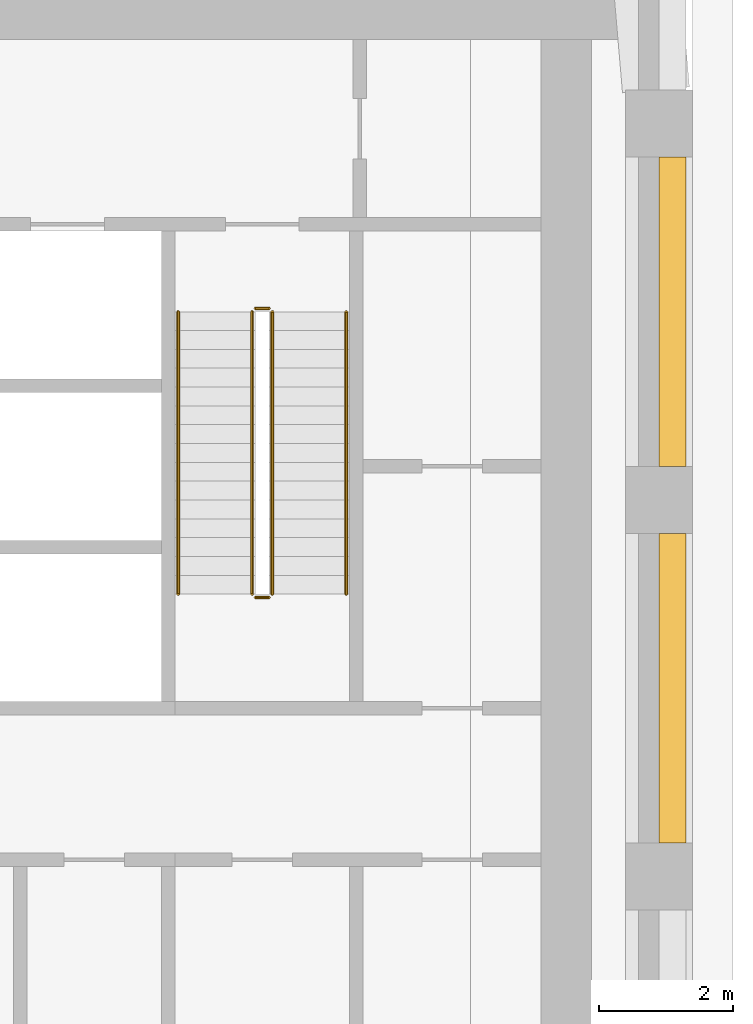
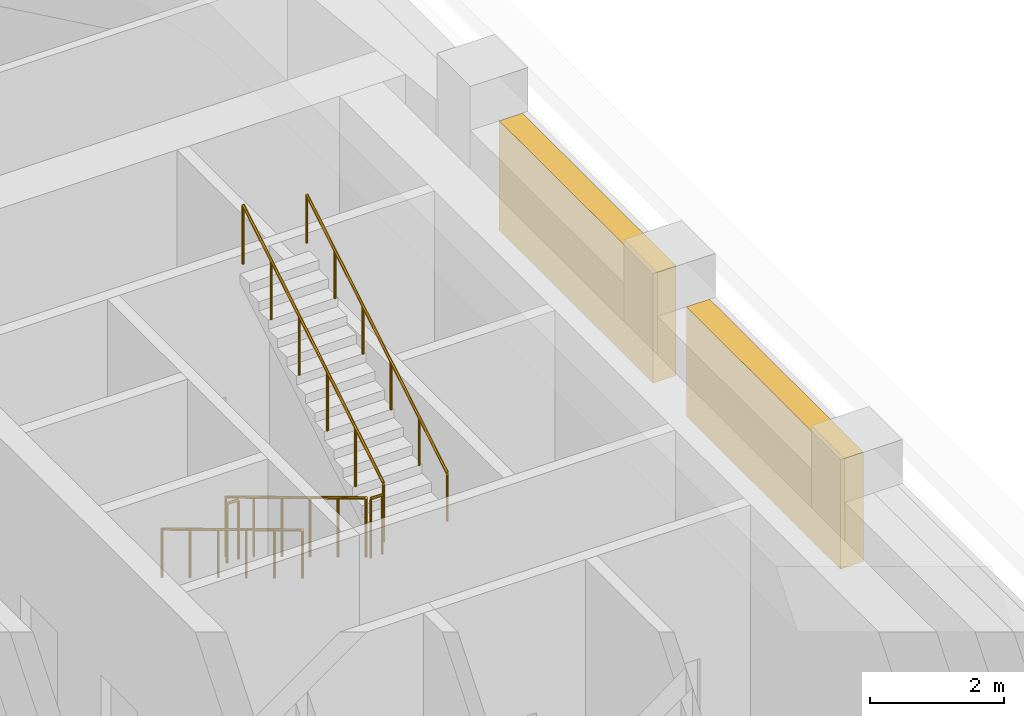
# One storey, part 13 of 14: 6 railings, 2 coverings.
"""IFC4 building model written with IfcOpenShell, lengths in metres."""

from ifc_helpers import new_model, si_unit, direction, frame, origin, origin_2d, place, context, subcontext, project, spatial, rectangle, circle, extrude, material, type_object, element, save


model = new_model("IFC4")

# Units and contexts
model_context = context("Model", 3, precision=1e-05, world=origin(), true_north=direction((0.0, 1.0)))
body_context = subcontext(model_context, "Body", "Model", "MODEL_VIEW")
ifc_project = project(units=[si_unit("LENGTHUNIT", "METRE"), si_unit("AREAUNIT", "SQUARE_METRE"), si_unit("VOLUMEUNIT", "CUBIC_METRE"), si_unit("PLANEANGLEUNIT", "RADIAN"), si_unit("MASSUNIT", "GRAM", prefix="KILO")], contexts=[model_context])

# Site, building, storey
site_placement = place(None, origin())
site = spatial("IfcSite", under=ifc_project, at=site_placement, CompositionType="ELEMENT")
building_placement = place(site_placement, origin())
building = spatial("IfcBuilding", under=site, at=building_placement, Name="Kiln Ring Residences", CompositionType="ELEMENT")
storey_placement = place(building_placement, frame((0.0, 0.0, 183.5)))
storey = spatial("IfcBuildingStorey", under=building, at=storey_placement, Name="L47", CompositionType="ELEMENT", Elevation=183.5)

# Railings
ifc_material_1 = material(Name="Stainless steel", Category="steel")
railing_type_1 = type_object("IfcRailingType", Name="CORE-STAIR-GUARD", PredefinedType="GUARDRAIL", material=ifc_material_1)
railing_1_placement = place(storey_placement, frame((21.949951171875, 8.39990234375, 0.168701171875)))
element("IfcRailing", 1, at=railing_1_placement, inside=storey, type_object=railing_type_1, Name="L47 E-STN stair guard 1", PredefinedType="GUARDRAIL", context=body_context, shape_type="SweptSolid", body=[
    extrude(circle(Radius=0.02392578125, at=origin_2d()), frame((0.0, 0.0, 1.076171875), z_axis=(0.0, -0.856476492594, 0.516186030065), x_axis=(1.0, 0.0, 0.0)), (0.0, 0.0, 1.0), 4.90380859375),
    extrude(circle(Radius=0.02099609375, at=origin_2d()), origin(), (0.0, 0.0, 1.0), 1.052001953125),
    extrude(circle(Radius=0.02099609375, at=origin_2d()), frame((0.0, -0.840087890625, 0.50634765625)), (0.0, 0.0, 1.0), 1.052001953125),
    extrude(circle(Radius=0.02099609375, at=origin_2d()), frame((0.0, -1.679931640625, 1.012451171875)), (0.0, 0.0, 1.0), 1.052001953125),
    extrude(circle(Radius=0.02099609375, at=origin_2d()), frame((0.0, -2.52001953125, 1.518798828125)), (0.0, 0.0, 1.0), 1.052001953125),
    extrude(circle(Radius=0.02099609375, at=origin_2d()), frame((0.0, -3.35986328125, 2.02490234375)), (0.0, 0.0, 1.0), 1.052001953125),
    extrude(circle(Radius=0.02099609375, at=origin_2d()), frame((0.0, -4.199951171875, 2.53125)), (0.0, 0.0, 1.0), 1.052001953125),
])
railing_2_placement = place(storey_placement, frame((22.0, 4.14990234375, 2.699951171875)))
element("IfcRailing", 2, at=railing_2_placement, inside=storey, type_object=railing_type_1, Name="L47 E-STN stair guard 2", PredefinedType="GUARDRAIL", context=body_context, shape_type="SweptSolid", body=[
    extrude(circle(Radius=0.02392578125, at=origin_2d()), frame((0.0, 0.0, 1.076171875), z_axis=(1.0, 0.0, 0.0), x_axis=(0.0, 1.0, 0.0)), (0.0, 0.0, 1.0), 0.199951171875),
    extrude(circle(Radius=0.02099609375, at=origin_2d()), origin(), (0.0, 0.0, 1.0), 1.052001953125),
    extrude(circle(Radius=0.02099609375, at=origin_2d()), frame((0.199951171875, 0.0, 0.0)), (0.0, 0.0, 1.0), 1.052001953125),
])
railing_3_placement = place(storey_placement, frame((22.25, 4.199951171875, 2.86865234375)))
element("IfcRailing", 3, at=railing_3_placement, inside=storey, type_object=railing_type_1, Name="L47 E-STN stair guard 3", PredefinedType="GUARDRAIL", context=body_context, shape_type="SweptSolid", body=[
    extrude(circle(Radius=0.02392578125, at=origin_2d()), frame((0.0, 0.0, 1.076171875), z_axis=(0.0, 0.856476492594, 0.516186030065), x_axis=(-1.0, 0.0, 0.0)), (0.0, 0.0, 1.0), 4.90380859375),
    extrude(circle(Radius=0.02099609375, at=origin_2d()), origin(), (0.0, 0.0, 1.0), 1.052001953125),
    extrude(circle(Radius=0.02099609375, at=origin_2d()), frame((0.0, 0.840087890625, 0.50634765625)), (0.0, 0.0, 1.0), 1.052001953125),
    extrude(circle(Radius=0.02099609375, at=origin_2d()), frame((0.0, 1.679931640625, 1.012451171875)), (0.0, 0.0, 1.0), 1.052001953125),
    extrude(circle(Radius=0.02099609375, at=origin_2d()), frame((0.0, 2.52001953125, 1.518798828125)), (0.0, 0.0, 1.0), 1.052001953125),
    extrude(circle(Radius=0.02099609375, at=origin_2d()), frame((0.0, 3.35986328125, 2.02490234375)), (0.0, 0.0, 1.0), 1.052001953125),
    extrude(circle(Radius=0.02099609375, at=origin_2d()), frame((0.0, 4.199951171875, 2.53125)), (0.0, 0.0, 1.0), 1.052001953125),
])
railing_4_placement = place(storey_placement, frame((22.0, 8.449951171875, 0.0)))
element("IfcRailing", 4, at=railing_4_placement, inside=storey, type_object=railing_type_1, Name="L47 E-STN stair guard 4", PredefinedType="GUARDRAIL", context=body_context, shape_type="SweptSolid", body=[
    extrude(circle(Radius=0.02392578125, at=origin_2d()), frame((0.0, 0.0, 1.076171875), z_axis=(1.0, 0.0, 0.0), x_axis=(0.0, 1.0, 0.0)), (0.0, 0.0, 1.0), 0.199951171875),
    extrude(circle(Radius=0.02099609375, at=origin_2d()), origin(), (0.0, 0.0, 1.0), 1.052001953125),
    extrude(circle(Radius=0.02099609375, at=origin_2d()), frame((0.199951171875, 0.0, 0.0)), (0.0, 0.0, 1.0), 1.052001953125),
])
ifc_material_2 = material(Name="Stainless steel", Category="steel")
railing_type_2 = type_object("IfcRailingType", Name="CORE-STAIR-HANDRAIL", PredefinedType="HANDRAIL", material=ifc_material_2)
railing_5_placement = place(storey_placement, frame((20.85009765625, 8.39990234375, 0.168701171875)))
element("IfcRailing", 5, at=railing_5_placement, inside=storey, type_object=railing_type_2, Name="L47 E-STN stair handrail 1", PredefinedType="HANDRAIL", context=body_context, shape_type="SweptSolid", body=[
    extrude(circle(Radius=0.02392578125, at=origin_2d()), frame((0.0, 0.0, 0.8759765625), z_axis=(0.0, -0.856476492594, 0.516186030065), x_axis=(1.0, 0.0, 0.0)), (0.0, 0.0, 1.0), 4.90380859375),
    extrude(circle(Radius=0.02099609375, at=origin_2d()), origin(), (0.0, 0.0, 1.0), 0.851806640625),
    extrude(circle(Radius=0.02099609375, at=origin_2d()), frame((0.0, -0.840087890625, 0.50634765625)), (0.0, 0.0, 1.0), 0.851806640625),
    extrude(circle(Radius=0.02099609375, at=origin_2d()), frame((0.0, -1.679931640625, 1.012451171875)), (0.0, 0.0, 1.0), 0.851806640625),
    extrude(circle(Radius=0.02099609375, at=origin_2d()), frame((0.0, -2.52001953125, 1.518798828125)), (0.0, 0.0, 1.0), 0.851806640625),
    extrude(circle(Radius=0.02099609375, at=origin_2d()), frame((0.0, -3.35986328125, 2.02490234375)), (0.0, 0.0, 1.0), 0.851806640625),
    extrude(circle(Radius=0.02099609375, at=origin_2d()), frame((0.0, -4.199951171875, 2.53125)), (0.0, 0.0, 1.0), 0.851806640625),
])
railing_6_placement = place(storey_placement, frame((23.35009765625, 4.199951171875, 2.86865234375)))
element("IfcRailing", 6, at=railing_6_placement, inside=storey, type_object=railing_type_2, Name="L47 E-STN stair handrail 2", PredefinedType="HANDRAIL", context=body_context, shape_type="SweptSolid", body=[
    extrude(circle(Radius=0.02392578125, at=origin_2d()), frame((0.0, 0.0, 0.8759765625), z_axis=(0.0, 0.856476492594, 0.516186030065), x_axis=(-1.0, 0.0, 0.0)), (0.0, 0.0, 1.0), 4.90380859375),
    extrude(circle(Radius=0.02099609375, at=origin_2d()), origin(), (0.0, 0.0, 1.0), 0.851806640625),
    extrude(circle(Radius=0.02099609375, at=origin_2d()), frame((0.0, 0.840087890625, 0.50634765625)), (0.0, 0.0, 1.0), 0.851806640625),
    extrude(circle(Radius=0.02099609375, at=origin_2d()), frame((0.0, 1.679931640625, 1.012451171875)), (0.0, 0.0, 1.0), 0.851806640625),
    extrude(circle(Radius=0.02099609375, at=origin_2d()), frame((0.0, 2.52001953125, 1.518798828125)), (0.0, 0.0, 1.0), 0.851806640625),
    extrude(circle(Radius=0.02099609375, at=origin_2d()), frame((0.0, 3.35986328125, 2.02490234375)), (0.0, 0.0, 1.0), 0.851806640625),
    extrude(circle(Radius=0.02099609375, at=origin_2d()), frame((0.0, 4.199951171875, 2.53125)), (0.0, 0.0, 1.0), 0.851806640625),
])

# Coverings
ifc_material_3 = material(Name="Concrete C35/45, exposed aggregate finish", Category="concrete")
covering_type = type_object("IfcCoveringType", Name="TIE BAND 2000 x 400", PredefinedType="CLADDING", material=ifc_material_3)
for number, where, z_axis, x_axis, name in (
    (7, (28.199951171875, 2.800048828125, 2.60009765625), (0.0, 0.0, 1.0), (0.0, 1.0, 0.0), "TIE BAND L47"),
    (8, (28.199951171875, 8.39990234375, 2.60009765625), (0.0, 0.0, 1.0), (0.0, 1.0, 0.0), "TIE BAND L47"),
):
    element("IfcCovering", number, at=place(storey_placement, frame(where, z_axis=z_axis, x_axis=x_axis)), inside=storey, type_object=covering_type, Name=name, PredefinedType="CLADDING", context=body_context, shape_type="SweptSolid", body=[
        extrude(rectangle(XDim=4.60009765625, YDim=0.39990234375, at=origin_2d()), origin(), (0.0, 0.0, 1.0), 2.0),
    ])

save(model, "model.ifc")
